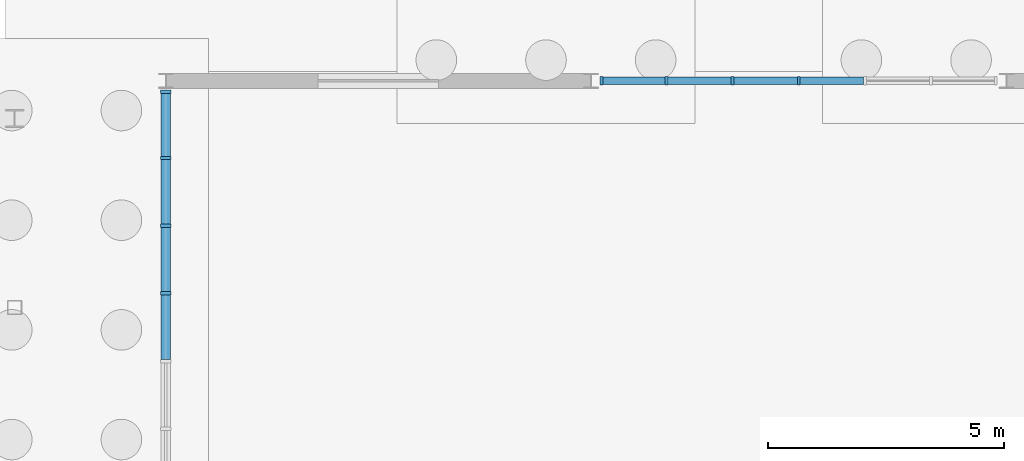
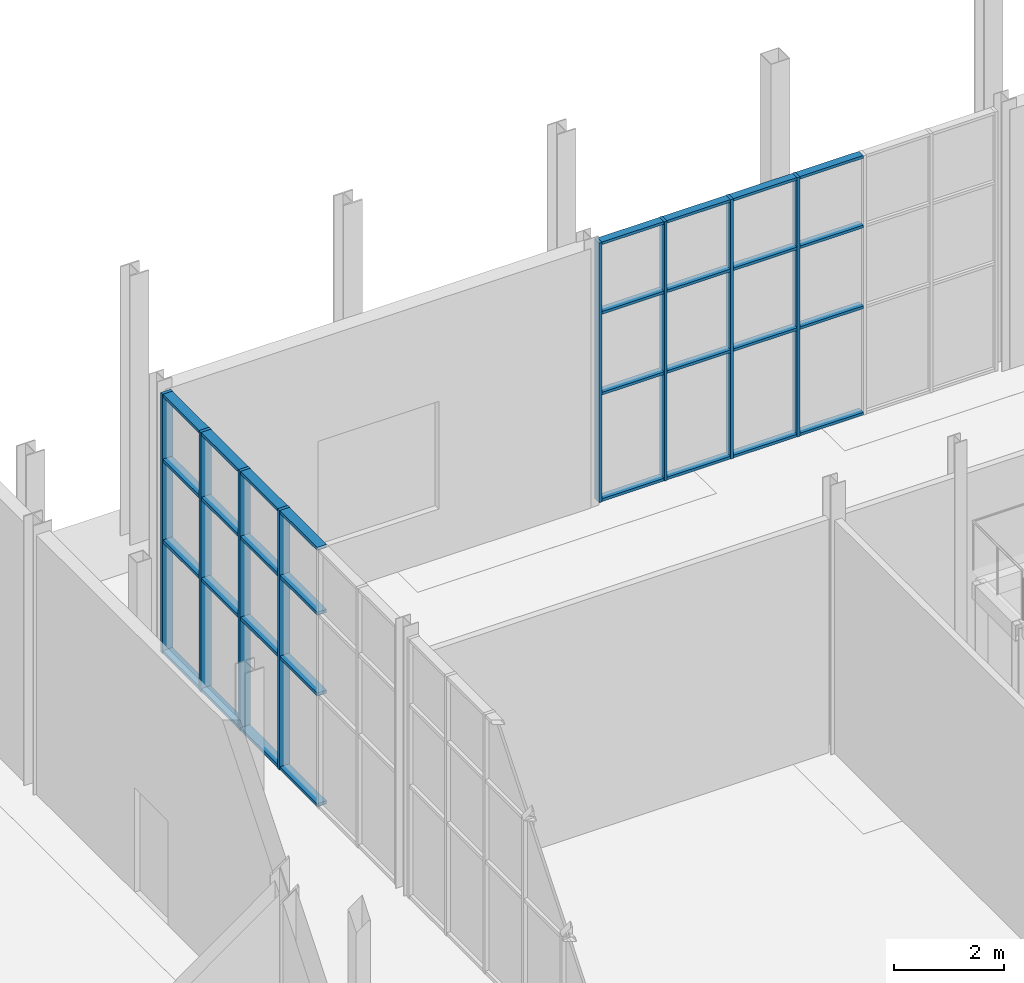
# One storey, part 56 of 131: 40 members, 2 elements without a shape of their own.
"""IFC4 building model written with IfcOpenShell, lengths in metres."""

from ifc_helpers import new_model, si_unit, direction, frame, origin, origin_2d, place, context, subcontext, project, spatial, rectangle, extrude, material, layer, layer_set, material_profile, profile_set, type_object, element, aggregate, save


model = new_model("IFC4")

# Units and contexts
model_context = context("Model", 3, precision=1e-05, world=origin(), true_north=direction((0.0, 1.0)))
body_context = subcontext(model_context, "Body", "Model", "MODEL_VIEW")
ifc_project = project(units=[si_unit("LENGTHUNIT", "METRE"), si_unit("AREAUNIT", "SQUARE_METRE"), si_unit("VOLUMEUNIT", "CUBIC_METRE"), si_unit("PLANEANGLEUNIT", "RADIAN"), si_unit("MASSUNIT", "GRAM", prefix="KILO")], contexts=[model_context])

# Site, building, storey
site_placement = place(None, origin())
site = spatial("IfcSite", under=ifc_project, at=site_placement, CompositionType="ELEMENT")
building_placement = place(site_placement, origin())
building = spatial("IfcBuilding", under=site, at=building_placement, Name="Cazmaro Siding Exhibition Halls", CompositionType="ELEMENT")
storey_placement = place(building_placement, origin())
storey = spatial("IfcBuildingStorey", under=building, at=storey_placement, Name="L00", CompositionType="ELEMENT", Elevation=0.0)

# Curtain wall, members
ifc_material_1 = material(Name="Anodized Bronze Aluminum and Solar-Control Low-E Glazing", Category="aluminium")
ifc_layer_1 = layer(ifc_material_1, 0.179931640625)
ifc_layer_set_1 = layer_set([ifc_layer_1], Name="Anodized Bronze Aluminum and Solar-Control Low-E Glazing")
curtain_wall_type_1 = type_object("IfcCurtainWallType", Name="CWS-01", PredefinedType="USERDEFINED", material=ifc_layer_set_1)
curtain_wall_1_placement = place(storey_placement, origin())
curtain_wall_1 = element("IfcCurtainWall", 1, at=curtain_wall_1_placement, inside=storey, type_object=curtain_wall_type_1, Name="Glazed Curtain Wall CWS-01 CW-006", ObjectType="GLAZED CURTAIN WALL", PredefinedType="USERDEFINED")
ifc_material_2 = material(Name="Anodized Bronze Extruded Aluminum", Category="aluminium")
ifc_material_profile_1 = material_profile(ifc_material_2, rectangle(XDim=0.179931640625, YDim=0.06005859375, at=origin_2d()), Name="CWM-01")
ifc_profile_set_1 = profile_set([ifc_material_profile_1], Name="Anodized Bronze Extruded Aluminum")
member_type_1 = type_object("IfcMemberType", Name="CWM-01", PredefinedType="MULLION", material=ifc_profile_set_1)
member_1_placement = place(storey_placement, frame((61.60009765625, 120.800048828125, 0.0), z_axis=(0.0, 0.0, 1.0), x_axis=(0.0, -1.0, 0.0)))
member_1 = element("IfcMember", 2, at=member_1_placement, type_object=member_type_1, Name="CWS-01 mullion 4", PredefinedType="MULLION", context=body_context, shape_type="SweptSolid", body=[
    extrude(rectangle(XDim=0.179931640625, YDim=0.06005859375, at=origin_2d()), origin(), (0.0, 0.0, 1.0), 5.780029296875),
])
member_2_placement = place(storey_placement, frame((60.198974609375, 120.800048828125, 0.0), z_axis=(0.0, 0.0, 1.0), x_axis=(0.0, -1.0, 0.0)))
member_2 = element("IfcMember", 3, at=member_2_placement, type_object=member_type_1, Name="CWS-01 mullion 5", PredefinedType="MULLION", context=body_context, shape_type="SweptSolid", body=[
    extrude(rectangle(XDim=0.179931640625, YDim=0.06005859375, at=origin_2d()), origin(), (0.0, 0.0, 1.0), 5.780029296875),
])
member_3_placement = place(storey_placement, frame((58.798095703125, 120.800048828125, 0.0), z_axis=(0.0, 0.0, 1.0), x_axis=(0.0, -1.0, 0.0)))
member_3 = element("IfcMember", 4, at=member_3_placement, type_object=member_type_1, Name="CWS-01 mullion 6", PredefinedType="MULLION", context=body_context, shape_type="SweptSolid", body=[
    extrude(rectangle(XDim=0.179931640625, YDim=0.06005859375, at=origin_2d()), origin(), (0.0, 0.0, 1.0), 5.780029296875),
])
member_4_placement = place(storey_placement, frame((57.427001953125, 120.800048828125, 0.0), z_axis=(0.0, 0.0, 1.0), x_axis=(0.0, -1.0, 0.0)))
member_4 = element("IfcMember", 5, at=member_4_placement, type_object=member_type_1, Name="CWS-01 mullion 7", PredefinedType="MULLION", context=body_context, shape_type="SweptSolid", body=[
    extrude(rectangle(XDim=0.179931640625, YDim=0.06005859375, at=origin_2d()), origin(), (0.0, 0.0, 1.0), 5.780029296875),
])

ifc_material_3 = material(Name="Anodized Bronze Aluminum and Solar-Control Low-E Glazing", Category="aluminium")
ifc_layer_2 = layer(ifc_material_3, 0.219970703125)
ifc_layer_set_2 = layer_set([ifc_layer_2], Name="Anodized Bronze Aluminum and Solar-Control Low-E Glazing")
curtain_wall_type_2 = type_object("IfcCurtainWallType", Name="CWS-03", PredefinedType="USERDEFINED", material=ifc_layer_set_2)
curtain_wall_2_placement = place(storey_placement, origin())
curtain_wall_2 = element("IfcCurtainWall", 6, at=curtain_wall_2_placement, inside=storey, type_object=curtain_wall_type_2, Name="Glazed Curtain Wall CWS-03 CW-062", ObjectType="GLAZED CURTAIN WALL", PredefinedType="USERDEFINED")
ifc_material_4 = material(Name="Anodized Bronze Extruded Aluminum", Category="aluminium")
ifc_material_profile_2 = material_profile(ifc_material_4, rectangle(XDim=0.219970703125, YDim=0.070068359375, at=origin_2d()), Name="CWM-03")
ifc_profile_set_2 = profile_set([ifc_material_profile_2], Name="Anodized Bronze Extruded Aluminum")
member_type_2 = type_object("IfcMemberType", Name="CWM-03", PredefinedType="MULLION", material=ifc_profile_set_2)
member_5_placement = place(storey_placement, frame((48.199951171875, 120.56689453125, 0.0), z_axis=(0.0, 0.0, 1.0), x_axis=(1.0, 0.0, 0.0)))
member_5 = element("IfcMember", 7, at=member_5_placement, type_object=member_type_2, Name="CWS-03 mullion 1", PredefinedType="MULLION", context=body_context, shape_type="SweptSolid", body=[
    extrude(rectangle(XDim=0.219970703125, YDim=0.070068359375, at=origin_2d()), origin(), (0.0, 0.0, 1.0), 5.780029296875),
])
member_6_placement = place(storey_placement, frame((48.199951171875, 119.16796875, 0.0), z_axis=(0.0, 0.0, 1.0), x_axis=(1.0, 0.0, 0.0)))
member_6 = element("IfcMember", 8, at=member_6_placement, type_object=member_type_2, Name="CWS-03 mullion 2", PredefinedType="MULLION", context=body_context, shape_type="SweptSolid", body=[
    extrude(rectangle(XDim=0.219970703125, YDim=0.070068359375, at=origin_2d()), origin(), (0.0, 0.0, 1.0), 5.780029296875),
])
member_7_placement = place(storey_placement, frame((48.199951171875, 117.73388671875, 0.0), z_axis=(0.0, 0.0, 1.0), x_axis=(1.0, 0.0, 0.0)))
member_7 = element("IfcMember", 9, at=member_7_placement, type_object=member_type_2, Name="CWS-03 mullion 3", PredefinedType="MULLION", context=body_context, shape_type="SweptSolid", body=[
    extrude(rectangle(XDim=0.219970703125, YDim=0.070068359375, at=origin_2d()), origin(), (0.0, 0.0, 1.0), 5.780029296875),
])
member_8_placement = place(storey_placement, frame((48.199951171875, 116.300048828125, 0.0), z_axis=(0.0, 0.0, 1.0), x_axis=(1.0, 0.0, 0.0)))
member_8 = element("IfcMember", 10, at=member_8_placement, type_object=member_type_2, Name="CWS-03 mullion 4", PredefinedType="MULLION", context=body_context, shape_type="SweptSolid", body=[
    extrude(rectangle(XDim=0.219970703125, YDim=0.070068359375, at=origin_2d()), origin(), (0.0, 0.0, 1.0), 5.780029296875),
])

# Member
ifc_material_5 = material(Name="Anodized Bronze Extruded Aluminum", Category="aluminium")
ifc_material_profile_3 = material_profile(ifc_material_5, rectangle(XDim=0.159912109375, YDim=0.06005859375, at=origin_2d()), Name="CWT-01")
ifc_profile_set_3 = profile_set([ifc_material_profile_3], Name="Anodized Bronze Extruded Aluminum")
member_type_3 = type_object("IfcMemberType", Name="CWT-01", PredefinedType="MULLION", material=ifc_profile_set_3)
member_9_placement = place(storey_placement, frame((62.970947265625, 120.800048828125, 0.030029296875), z_axis=(-1.0, 0.0, 0.0), x_axis=(0.0, -1.0, 0.0)))
member_9 = element("IfcMember", 11, at=member_9_placement, type_object=member_type_3, Name="CWS-01 transom 3.1", ObjectType="TRANSOM", PredefinedType="USERDEFINED", context=body_context, shape_type="SweptSolid", body=[
    extrude(rectangle(XDim=0.159912109375, YDim=0.06005859375, at=origin_2d()), origin(), (0.0, 0.0, 1.0), 1.341064453125),
])

member_10_placement = place(storey_placement, frame((62.970947265625, 120.800048828125, 2.39990234375), z_axis=(-1.0, 0.0, 0.0), x_axis=(0.0, -1.0, 0.0)))
member_10 = element("IfcMember", 12, at=member_10_placement, type_object=member_type_3, Name="CWS-01 transom 3.2", ObjectType="TRANSOM", PredefinedType="USERDEFINED", context=body_context, shape_type="SweptSolid", body=[
    extrude(rectangle(XDim=0.159912109375, YDim=0.06005859375, at=origin_2d()), origin(), (0.0, 0.0, 1.0), 1.341064453125),
])

member_11_placement = place(storey_placement, frame((62.970947265625, 120.800048828125, 4.199951171875), z_axis=(-1.0, 0.0, 0.0), x_axis=(0.0, -1.0, 0.0)))
member_11 = element("IfcMember", 13, at=member_11_placement, type_object=member_type_3, Name="CWS-01 transom 3.3", ObjectType="TRANSOM", PredefinedType="USERDEFINED", context=body_context, shape_type="SweptSolid", body=[
    extrude(rectangle(XDim=0.159912109375, YDim=0.06005859375, at=origin_2d()), origin(), (0.0, 0.0, 1.0), 1.341064453125),
])

member_12_placement = place(storey_placement, frame((62.970947265625, 120.800048828125, 5.75), z_axis=(-1.0, 0.0, 0.0), x_axis=(0.0, -1.0, 0.0)))
member_12 = element("IfcMember", 14, at=member_12_placement, type_object=member_type_3, Name="CWS-01 transom 3.4", ObjectType="TRANSOM", PredefinedType="USERDEFINED", context=body_context, shape_type="SweptSolid", body=[
    extrude(rectangle(XDim=0.159912109375, YDim=0.06005859375, at=origin_2d()), origin(), (0.0, 0.0, 1.0), 1.341064453125),
])

member_13_placement = place(storey_placement, frame((61.570068359375, 120.800048828125, 0.030029296875), z_axis=(-1.0, 0.0, 0.0), x_axis=(0.0, -1.0, 0.0)))
member_13 = element("IfcMember", 15, at=member_13_placement, type_object=member_type_3, Name="CWS-01 transom 4.1", ObjectType="TRANSOM", PredefinedType="USERDEFINED", context=body_context, shape_type="SweptSolid", body=[
    extrude(rectangle(XDim=0.159912109375, YDim=0.06005859375, at=origin_2d()), origin(), (0.0, 0.0, 1.0), 1.341064453125),
])

member_14_placement = place(storey_placement, frame((61.570068359375, 120.800048828125, 2.39990234375), z_axis=(-1.0, 0.0, 0.0), x_axis=(0.0, -1.0, 0.0)))
member_14 = element("IfcMember", 16, at=member_14_placement, type_object=member_type_3, Name="CWS-01 transom 4.2", ObjectType="TRANSOM", PredefinedType="USERDEFINED", context=body_context, shape_type="SweptSolid", body=[
    extrude(rectangle(XDim=0.159912109375, YDim=0.06005859375, at=origin_2d()), origin(), (0.0, 0.0, 1.0), 1.341064453125),
])

member_15_placement = place(storey_placement, frame((61.570068359375, 120.800048828125, 4.199951171875), z_axis=(-1.0, 0.0, 0.0), x_axis=(0.0, -1.0, 0.0)))
member_15 = element("IfcMember", 17, at=member_15_placement, type_object=member_type_3, Name="CWS-01 transom 4.3", ObjectType="TRANSOM", PredefinedType="USERDEFINED", context=body_context, shape_type="SweptSolid", body=[
    extrude(rectangle(XDim=0.159912109375, YDim=0.06005859375, at=origin_2d()), origin(), (0.0, 0.0, 1.0), 1.341064453125),
])

member_16_placement = place(storey_placement, frame((61.570068359375, 120.800048828125, 5.75), z_axis=(-1.0, 0.0, 0.0), x_axis=(0.0, -1.0, 0.0)))
member_16 = element("IfcMember", 18, at=member_16_placement, type_object=member_type_3, Name="CWS-01 transom 4.4", ObjectType="TRANSOM", PredefinedType="USERDEFINED", context=body_context, shape_type="SweptSolid", body=[
    extrude(rectangle(XDim=0.159912109375, YDim=0.06005859375, at=origin_2d()), origin(), (0.0, 0.0, 1.0), 1.341064453125),
])

member_17_placement = place(storey_placement, frame((60.1689453125, 120.800048828125, 0.030029296875), z_axis=(-1.0, 0.0, 0.0), x_axis=(0.0, -1.0, 0.0)))
member_17 = element("IfcMember", 19, at=member_17_placement, type_object=member_type_3, Name="CWS-01 transom 5.1", ObjectType="TRANSOM", PredefinedType="USERDEFINED", context=body_context, shape_type="SweptSolid", body=[
    extrude(rectangle(XDim=0.159912109375, YDim=0.06005859375, at=origin_2d()), origin(), (0.0, 0.0, 1.0), 1.341064453125),
])

member_18_placement = place(storey_placement, frame((60.1689453125, 120.800048828125, 2.39990234375), z_axis=(-1.0, 0.0, 0.0), x_axis=(0.0, -1.0, 0.0)))
member_18 = element("IfcMember", 20, at=member_18_placement, type_object=member_type_3, Name="CWS-01 transom 5.2", ObjectType="TRANSOM", PredefinedType="USERDEFINED", context=body_context, shape_type="SweptSolid", body=[
    extrude(rectangle(XDim=0.159912109375, YDim=0.06005859375, at=origin_2d()), origin(), (0.0, 0.0, 1.0), 1.341064453125),
])

member_19_placement = place(storey_placement, frame((60.1689453125, 120.800048828125, 4.199951171875), z_axis=(-1.0, 0.0, 0.0), x_axis=(0.0, -1.0, 0.0)))
member_19 = element("IfcMember", 21, at=member_19_placement, type_object=member_type_3, Name="CWS-01 transom 5.3", ObjectType="TRANSOM", PredefinedType="USERDEFINED", context=body_context, shape_type="SweptSolid", body=[
    extrude(rectangle(XDim=0.159912109375, YDim=0.06005859375, at=origin_2d()), origin(), (0.0, 0.0, 1.0), 1.341064453125),
])

member_20_placement = place(storey_placement, frame((60.1689453125, 120.800048828125, 5.75), z_axis=(-1.0, 0.0, 0.0), x_axis=(0.0, -1.0, 0.0)))
member_20 = element("IfcMember", 22, at=member_20_placement, type_object=member_type_3, Name="CWS-01 transom 5.4", ObjectType="TRANSOM", PredefinedType="USERDEFINED", context=body_context, shape_type="SweptSolid", body=[
    extrude(rectangle(XDim=0.159912109375, YDim=0.06005859375, at=origin_2d()), origin(), (0.0, 0.0, 1.0), 1.341064453125),
])

member_21_placement = place(storey_placement, frame((58.76806640625, 120.800048828125, 0.030029296875), z_axis=(-1.0, 0.0, 0.0), x_axis=(0.0, -1.0, 0.0)))
member_21 = element("IfcMember", 23, at=member_21_placement, type_object=member_type_3, Name="CWS-01 transom 6.1", ObjectType="TRANSOM", PredefinedType="USERDEFINED", context=body_context, shape_type="SweptSolid", body=[
    extrude(rectangle(XDim=0.159912109375, YDim=0.06005859375, at=origin_2d()), origin(), (0.0, 0.0, 1.0), 1.31103515625),
])

member_22_placement = place(storey_placement, frame((58.76806640625, 120.800048828125, 2.39990234375), z_axis=(-1.0, 0.0, 0.0), x_axis=(0.0, -1.0, 0.0)))
member_22 = element("IfcMember", 24, at=member_22_placement, type_object=member_type_3, Name="CWS-01 transom 6.2", ObjectType="TRANSOM", PredefinedType="USERDEFINED", context=body_context, shape_type="SweptSolid", body=[
    extrude(rectangle(XDim=0.159912109375, YDim=0.06005859375, at=origin_2d()), origin(), (0.0, 0.0, 1.0), 1.31103515625),
])

member_23_placement = place(storey_placement, frame((58.76806640625, 120.800048828125, 4.199951171875), z_axis=(-1.0, 0.0, 0.0), x_axis=(0.0, -1.0, 0.0)))
member_23 = element("IfcMember", 25, at=member_23_placement, type_object=member_type_3, Name="CWS-01 transom 6.3", ObjectType="TRANSOM", PredefinedType="USERDEFINED", context=body_context, shape_type="SweptSolid", body=[
    extrude(rectangle(XDim=0.159912109375, YDim=0.06005859375, at=origin_2d()), origin(), (0.0, 0.0, 1.0), 1.31103515625),
])

member_24_placement = place(storey_placement, frame((58.76806640625, 120.800048828125, 5.75), z_axis=(-1.0, 0.0, 0.0), x_axis=(0.0, -1.0, 0.0)))
member_24 = element("IfcMember", 26, at=member_24_placement, type_object=member_type_3, Name="CWS-01 transom 6.4", ObjectType="TRANSOM", PredefinedType="USERDEFINED", context=body_context, shape_type="SweptSolid", body=[
    extrude(rectangle(XDim=0.159912109375, YDim=0.06005859375, at=origin_2d()), origin(), (0.0, 0.0, 1.0), 1.31103515625),
])

aggregate(curtain_wall_1, [member_1, member_2, member_3, member_4, member_9, member_10, member_11, member_12, member_13, member_14, member_15, member_16, member_17, member_18, member_19, member_20, member_21, member_22, member_23, member_24])

ifc_material_6 = material(Name="Anodized Bronze Extruded Aluminum", Category="aluminium")
ifc_material_profile_4 = material_profile(ifc_material_6, rectangle(XDim=0.199951171875, YDim=0.070068359375, at=origin_2d()), Name="CWT-03")
ifc_profile_set_4 = profile_set([ifc_material_profile_4], Name="Anodized Bronze Extruded Aluminum")
member_type_4 = type_object("IfcMemberType", Name="CWT-03", PredefinedType="MULLION", material=ifc_profile_set_4)
member_25_placement = place(storey_placement, frame((48.199951171875, 120.531982421875, 0.034912109375), z_axis=(0.0, -1.0, 0.0), x_axis=(1.0, 0.0, 0.0)))
member_25 = element("IfcMember", 27, at=member_25_placement, type_object=member_type_4, Name="CWS-03 transom 1.1", ObjectType="TRANSOM", PredefinedType="USERDEFINED", context=body_context, shape_type="SweptSolid", body=[
    extrude(rectangle(XDim=0.199951171875, YDim=0.070068359375, at=origin_2d()), origin(), (0.0, 0.0, 1.0), 1.3291015625),
])

member_26_placement = place(storey_placement, frame((48.199951171875, 120.531982421875, 2.5), z_axis=(0.0, -1.0, 0.0), x_axis=(1.0, 0.0, 0.0)))
member_26 = element("IfcMember", 28, at=member_26_placement, type_object=member_type_4, Name="CWS-03 transom 1.2", ObjectType="TRANSOM", PredefinedType="USERDEFINED", context=body_context, shape_type="SweptSolid", body=[
    extrude(rectangle(XDim=0.199951171875, YDim=0.070068359375, at=origin_2d()), origin(), (0.0, 0.0, 1.0), 1.3291015625),
])

member_27_placement = place(storey_placement, frame((48.199951171875, 120.531982421875, 4.300048828125), z_axis=(0.0, -1.0, 0.0), x_axis=(1.0, 0.0, 0.0)))
member_27 = element("IfcMember", 29, at=member_27_placement, type_object=member_type_4, Name="CWS-03 transom 1.3", ObjectType="TRANSOM", PredefinedType="USERDEFINED", context=body_context, shape_type="SweptSolid", body=[
    extrude(rectangle(XDim=0.199951171875, YDim=0.070068359375, at=origin_2d()), origin(), (0.0, 0.0, 1.0), 1.3291015625),
])

member_28_placement = place(storey_placement, frame((48.199951171875, 120.531982421875, 5.7451171875), z_axis=(0.0, -1.0, 0.0), x_axis=(1.0, 0.0, 0.0)))
member_28 = element("IfcMember", 30, at=member_28_placement, type_object=member_type_4, Name="CWS-03 transom 1.4", ObjectType="TRANSOM", PredefinedType="USERDEFINED", context=body_context, shape_type="SweptSolid", body=[
    extrude(rectangle(XDim=0.199951171875, YDim=0.070068359375, at=origin_2d()), origin(), (0.0, 0.0, 1.0), 1.3291015625),
])

member_29_placement = place(storey_placement, frame((48.199951171875, 119.133056640625, 0.034912109375), z_axis=(0.0, -1.0, 0.0), x_axis=(1.0, 0.0, 0.0)))
member_29 = element("IfcMember", 31, at=member_29_placement, type_object=member_type_4, Name="CWS-03 transom 2.1", ObjectType="TRANSOM", PredefinedType="USERDEFINED", context=body_context, shape_type="SweptSolid", body=[
    extrude(rectangle(XDim=0.199951171875, YDim=0.070068359375, at=origin_2d()), origin(), (0.0, 0.0, 1.0), 1.364013671875),
])

member_30_placement = place(storey_placement, frame((48.199951171875, 119.133056640625, 2.5), z_axis=(0.0, -1.0, 0.0), x_axis=(1.0, 0.0, 0.0)))
member_30 = element("IfcMember", 32, at=member_30_placement, type_object=member_type_4, Name="CWS-03 transom 2.2", ObjectType="TRANSOM", PredefinedType="USERDEFINED", context=body_context, shape_type="SweptSolid", body=[
    extrude(rectangle(XDim=0.199951171875, YDim=0.070068359375, at=origin_2d()), origin(), (0.0, 0.0, 1.0), 1.364013671875),
])

member_31_placement = place(storey_placement, frame((48.199951171875, 119.133056640625, 4.300048828125), z_axis=(0.0, -1.0, 0.0), x_axis=(1.0, 0.0, 0.0)))
member_31 = element("IfcMember", 33, at=member_31_placement, type_object=member_type_4, Name="CWS-03 transom 2.3", ObjectType="TRANSOM", PredefinedType="USERDEFINED", context=body_context, shape_type="SweptSolid", body=[
    extrude(rectangle(XDim=0.199951171875, YDim=0.070068359375, at=origin_2d()), origin(), (0.0, 0.0, 1.0), 1.364013671875),
])

member_32_placement = place(storey_placement, frame((48.199951171875, 119.133056640625, 5.7451171875), z_axis=(0.0, -1.0, 0.0), x_axis=(1.0, 0.0, 0.0)))
member_32 = element("IfcMember", 34, at=member_32_placement, type_object=member_type_4, Name="CWS-03 transom 2.4", ObjectType="TRANSOM", PredefinedType="USERDEFINED", context=body_context, shape_type="SweptSolid", body=[
    extrude(rectangle(XDim=0.199951171875, YDim=0.070068359375, at=origin_2d()), origin(), (0.0, 0.0, 1.0), 1.364013671875),
])

member_33_placement = place(storey_placement, frame((48.199951171875, 117.698974609375, 0.034912109375), z_axis=(0.0, -1.0, 0.0), x_axis=(1.0, 0.0, 0.0)))
member_33 = element("IfcMember", 35, at=member_33_placement, type_object=member_type_4, Name="CWS-03 transom 3.1", ObjectType="TRANSOM", PredefinedType="USERDEFINED", context=body_context, shape_type="SweptSolid", body=[
    extrude(rectangle(XDim=0.199951171875, YDim=0.070068359375, at=origin_2d()), origin(), (0.0, 0.0, 1.0), 1.364013671875),
])

member_34_placement = place(storey_placement, frame((48.199951171875, 117.698974609375, 2.5), z_axis=(0.0, -1.0, 0.0), x_axis=(1.0, 0.0, 0.0)))
member_34 = element("IfcMember", 36, at=member_34_placement, type_object=member_type_4, Name="CWS-03 transom 3.2", ObjectType="TRANSOM", PredefinedType="USERDEFINED", context=body_context, shape_type="SweptSolid", body=[
    extrude(rectangle(XDim=0.199951171875, YDim=0.070068359375, at=origin_2d()), origin(), (0.0, 0.0, 1.0), 1.364013671875),
])

member_35_placement = place(storey_placement, frame((48.199951171875, 117.698974609375, 4.300048828125), z_axis=(0.0, -1.0, 0.0), x_axis=(1.0, 0.0, 0.0)))
member_35 = element("IfcMember", 37, at=member_35_placement, type_object=member_type_4, Name="CWS-03 transom 3.3", ObjectType="TRANSOM", PredefinedType="USERDEFINED", context=body_context, shape_type="SweptSolid", body=[
    extrude(rectangle(XDim=0.199951171875, YDim=0.070068359375, at=origin_2d()), origin(), (0.0, 0.0, 1.0), 1.364013671875),
])

member_36_placement = place(storey_placement, frame((48.199951171875, 117.698974609375, 5.7451171875), z_axis=(0.0, -1.0, 0.0), x_axis=(1.0, 0.0, 0.0)))
member_36 = element("IfcMember", 38, at=member_36_placement, type_object=member_type_4, Name="CWS-03 transom 3.4", ObjectType="TRANSOM", PredefinedType="USERDEFINED", context=body_context, shape_type="SweptSolid", body=[
    extrude(rectangle(XDim=0.199951171875, YDim=0.070068359375, at=origin_2d()), origin(), (0.0, 0.0, 1.0), 1.364013671875),
])

member_37_placement = place(storey_placement, frame((48.199951171875, 116.264892578125, 0.034912109375), z_axis=(0.0, -1.0, 0.0), x_axis=(1.0, 0.0, 0.0)))
member_37 = element("IfcMember", 39, at=member_37_placement, type_object=member_type_4, Name="CWS-03 transom 4.1", ObjectType="TRANSOM", PredefinedType="USERDEFINED", context=body_context, shape_type="SweptSolid", body=[
    extrude(rectangle(XDim=0.199951171875, YDim=0.070068359375, at=origin_2d()), origin(), (0.0, 0.0, 1.0), 1.364013671875),
])

member_38_placement = place(storey_placement, frame((48.199951171875, 116.264892578125, 2.5), z_axis=(0.0, -1.0, 0.0), x_axis=(1.0, 0.0, 0.0)))
member_38 = element("IfcMember", 40, at=member_38_placement, type_object=member_type_4, Name="CWS-03 transom 4.2", ObjectType="TRANSOM", PredefinedType="USERDEFINED", context=body_context, shape_type="SweptSolid", body=[
    extrude(rectangle(XDim=0.199951171875, YDim=0.070068359375, at=origin_2d()), origin(), (0.0, 0.0, 1.0), 1.364013671875),
])

member_39_placement = place(storey_placement, frame((48.199951171875, 116.264892578125, 4.300048828125), z_axis=(0.0, -1.0, 0.0), x_axis=(1.0, 0.0, 0.0)))
member_39 = element("IfcMember", 41, at=member_39_placement, type_object=member_type_4, Name="CWS-03 transom 4.3", ObjectType="TRANSOM", PredefinedType="USERDEFINED", context=body_context, shape_type="SweptSolid", body=[
    extrude(rectangle(XDim=0.199951171875, YDim=0.070068359375, at=origin_2d()), origin(), (0.0, 0.0, 1.0), 1.364013671875),
])

member_40_placement = place(storey_placement, frame((48.199951171875, 116.264892578125, 5.7451171875), z_axis=(0.0, -1.0, 0.0), x_axis=(1.0, 0.0, 0.0)))
member_40 = element("IfcMember", 42, at=member_40_placement, type_object=member_type_4, Name="CWS-03 transom 4.4", ObjectType="TRANSOM", PredefinedType="USERDEFINED", context=body_context, shape_type="SweptSolid", body=[
    extrude(rectangle(XDim=0.199951171875, YDim=0.070068359375, at=origin_2d()), origin(), (0.0, 0.0, 1.0), 1.364013671875),
])

aggregate(curtain_wall_2, [member_5, member_6, member_7, member_8, member_25, member_26, member_27, member_28, member_29, member_30, member_31, member_32, member_33, member_34, member_35, member_36, member_37, member_38, member_39, member_40])

save(model, "model.ifc")
